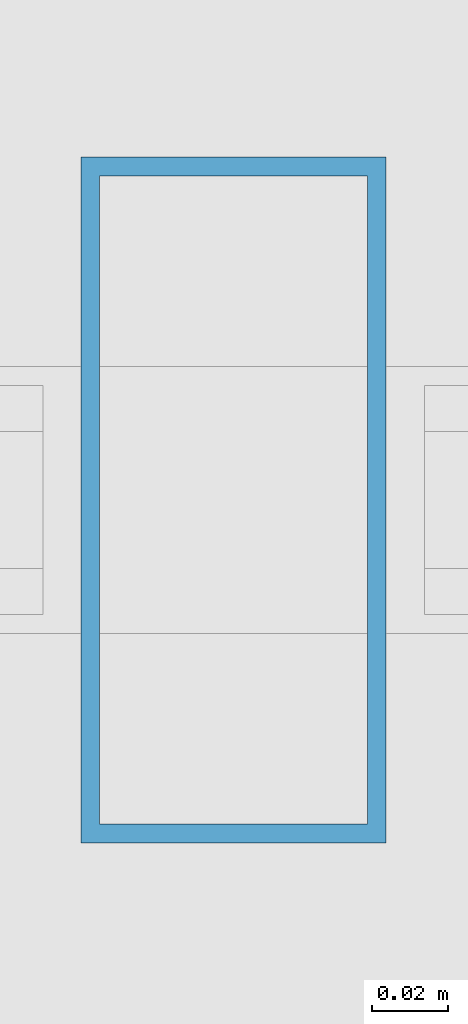
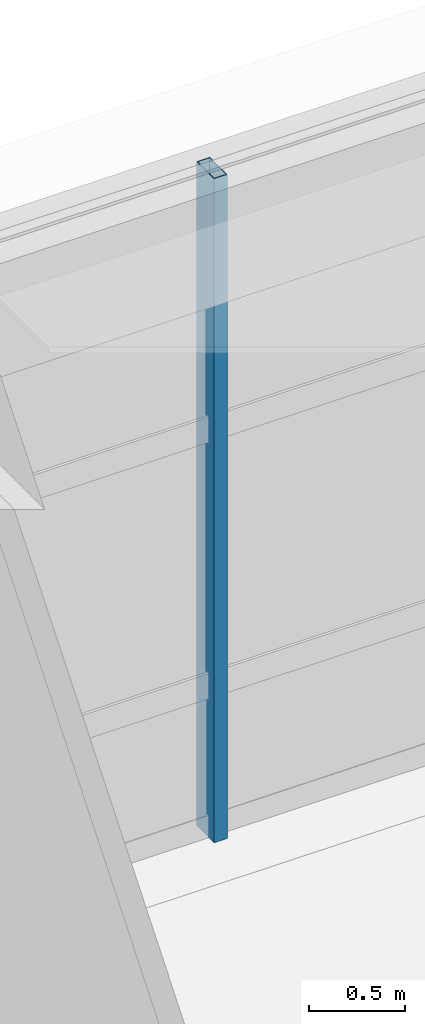
# One storey, part 50 of 171: 1 member, 1 element without a shape of its own.
"""IFC4 building model written with IfcOpenShell, lengths in metres."""

from ifc_helpers import new_model, si_unit, direction, frame, origin, origin_2d, place, context, subcontext, project, spatial, hollow_rectangle, extrude, material, material_profile, profile_set, type_object, element, aggregate, save


model = new_model("IFC4")

# Units and contexts
model_context = context("Model", 3, precision=1e-05, world=origin(), true_north=direction((0.0, 1.0)))
body_context = subcontext(model_context, "Body", "Model", "MODEL_VIEW")
ifc_project = project(units=[si_unit("LENGTHUNIT", "METRE"), si_unit("AREAUNIT", "SQUARE_METRE"), si_unit("VOLUMEUNIT", "CUBIC_METRE"), si_unit("PLANEANGLEUNIT", "RADIAN"), si_unit("MASSUNIT", "GRAM", prefix="KILO")], contexts=[model_context])

# Site, building, storey
site_placement = place(None, origin())
site = spatial("IfcSite", under=ifc_project, at=site_placement, CompositionType="ELEMENT")
building_placement = place(site_placement, origin())
building = spatial("IfcBuilding", under=site, at=building_placement, Name="Thalmaran Polytechnic", CompositionType="ELEMENT")
storey_placement = place(building_placement, frame((0.0, 0.0, 5.39990234375)))
storey = spatial("IfcBuildingStorey", under=building, at=storey_placement, Name="L01", CompositionType="ELEMENT", Elevation=5.39990234375)

# Curtain wall, member
ifc_material = material(Name="Aluminium 6063-T6", Category="aluminium")
curtain_wall_type = type_object("IfcCurtainWallType", Name="CW-SC01", PredefinedType="USERDEFINED", material=ifc_material)
curtain_wall_placement = place(storey_placement, origin())
curtain_wall = element("IfcCurtainWall", 1, at=curtain_wall_placement, inside=storey, type_object=curtain_wall_type, Name="Curtain Wall CW-L01-140", ObjectType="STICK CURTAIN WALL", PredefinedType="USERDEFINED")
ifc_material_profile = material_profile(ifc_material, hollow_rectangle(XDim=0.080078125, YDim=0.179931640625, WallThickness=0.0048828125, at=origin_2d()), Name="RHS 180x80x5.0")
ifc_profile_set = profile_set([ifc_material_profile], Name="Aluminium 6063-T6")
member_type = type_object("IfcMemberType", Name="CW-MUL1", PredefinedType="MULLION", material=ifc_profile_set)
member_placement = place(storey_placement, frame((30.800048828125, 72.0, 0.0), z_axis=(0.0, 0.0, 1.0), x_axis=(1.0, 0.0, 0.0)))
member = element("IfcMember", 2, at=member_placement, type_object=member_type, Name="CW-L01-140 Mullion 2", PredefinedType="MULLION", context=body_context, shape_type="SweptSolid", body=[
    extrude(hollow_rectangle(XDim=0.080078125, YDim=0.179931640625, WallThickness=0.0048828125, at=origin_2d()), origin(), (0.0, 0.0, 1.0), 4.210205078125),
])
aggregate(curtain_wall, [member])

save(model, "model.ifc")
